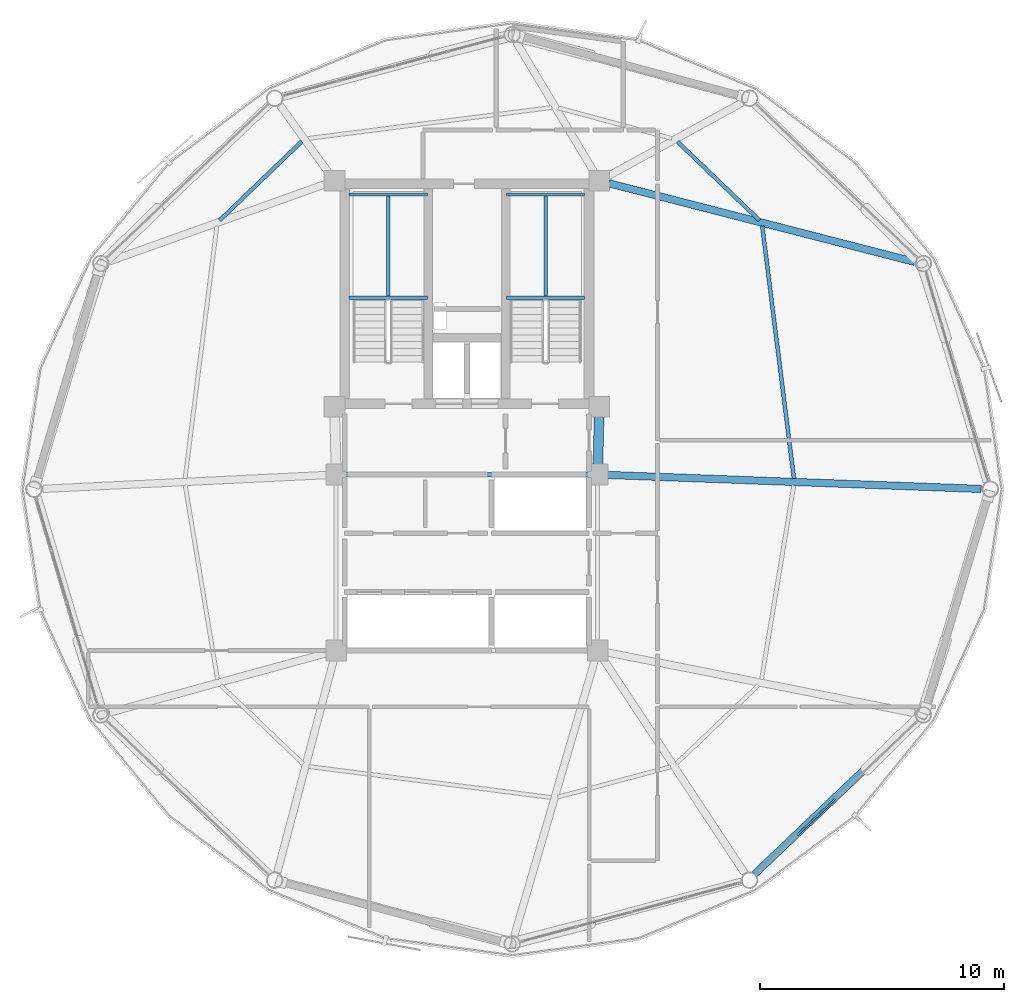
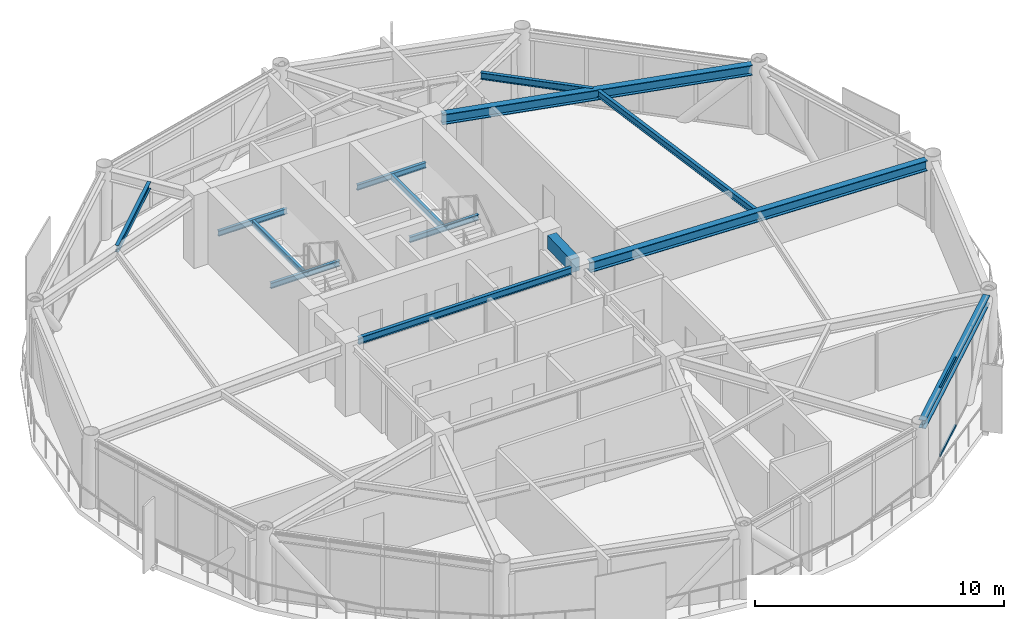
# One storey, part 15 of 29: 14 beams, 2 members, 1 element without a shape of its own.
"""IFC4 building model written with IfcOpenShell, lengths in metres."""

from ifc_helpers import new_model, si_unit, direction, frame, origin, origin_2d, place, context, subcontext, project, spatial, rectangle, hollow_rectangle, i_section, extrude, material, layer, layer_set, material_profile, profile_set, type_object, element, aggregate, save


model = new_model("IFC4")

# Units and contexts
model_context = context("Model", 3, precision=1e-05, world=origin(), true_north=direction((0.0, 1.0)))
body_context = subcontext(model_context, "Body", "Model", "MODEL_VIEW")
ifc_project = project(units=[si_unit("LENGTHUNIT", "METRE"), si_unit("AREAUNIT", "SQUARE_METRE"), si_unit("VOLUMEUNIT", "CUBIC_METRE"), si_unit("PLANEANGLEUNIT", "RADIAN"), si_unit("MASSUNIT", "GRAM", prefix="KILO")], contexts=[model_context])

# Site, building, storey
site_placement = place(None, origin())
site = spatial("IfcSite", under=ifc_project, at=site_placement, CompositionType="ELEMENT")
building_placement = place(site_placement, origin())
building = spatial("IfcBuilding", under=site, at=building_placement, Name="Varnakorn Sky Granary", CompositionType="ELEMENT")
storey_placement = place(building_placement, frame((0.0, 0.0, 189.60009765625)))
storey = spatial("IfcBuildingStorey", under=building, at=storey_placement, Name="L47", CompositionType="ELEMENT", Elevation=189.60009765625)

# Beams
ifc_material_1 = material(Name="Concrete C50/60", Category="concrete")
ifc_material_profile_1 = material_profile(ifc_material_1, rectangle(XDim=0.39990234375, YDim=0.64990234375, at=origin_2d()), Name="RC 400x650")
ifc_profile_set_1 = profile_set([ifc_material_profile_1], Name="Concrete C50/60")
beam_type_1 = type_object("IfcBeamType", Name="BM-LIN-650", PredefinedType="LINTEL", material=ifc_profile_set_1)
beam_1_placement = place(storey_placement, frame((8.409912109375, 2.97509765625, 3.034912109375), z_axis=(-0.025270737467, -0.99968064392, 0.0), x_axis=(0.99968064392, -0.025270737467, 0.0)))
element("IfcBeam", 1, at=beam_1_placement, inside=storey, type_object=beam_type_1, Name="Core Spine Framing Beam 2 L47", PredefinedType="LINTEL", context=body_context, shape_type="SweptSolid", body=[
    extrude(rectangle(XDim=0.39990234375, YDim=0.64990234375, at=origin_2d()), origin(), (0.0, 0.0, 1.0), 1.970947265625),
])
ifc_material_2 = material(Name="Steel S355JR", Category="steel")
ifc_material_profile_2 = material_profile(ifc_material_2, i_section(OverallWidth=0.135009765625, OverallDepth=0.27001953125, WebThickness=0.006591796875, FlangeThickness=0.01025390625, at=origin_2d()), Name="IPE 270")
ifc_profile_set_2 = profile_set([ifc_material_profile_2], Name="Steel S355JR")
beam_type_2 = type_object("IfcBeamType", Name="BM-LND-270", PredefinedType="BEAM", material=ifc_profile_set_2)
for number, where, z_axis, x_axis, name in (
    (2, (-1.820068359375, 7.840087890625, 1.46484375), (1.0, 0.0, 0.0), (0.0, 1.0, 0.0), "Stair ST-1 Landing Trimmer Beam A L47-1"),
    (3, (-1.820068359375, 12.06005859375, 1.46484375), (1.0, 0.0, 0.0), (0.0, 1.0, 0.0), "Stair ST-1 Landing Trimmer Beam B L47-1"),
):
    element("IfcBeam", number, at=place(storey_placement, frame(where, z_axis=z_axis, x_axis=x_axis)), inside=storey, type_object=beam_type_2, Name=name, PredefinedType="BEAM", context=body_context, shape_type="SweptSolid", body=[
        extrude(i_section(OverallWidth=0.135009765625, OverallDepth=0.27001953125, WebThickness=0.006591796875, FlangeThickness=0.01025390625, at=origin_2d()), origin(), (0.0, 0.0, 1.0), 3.199951171875),
    ])
beam_2_placement = place(storey_placement, frame((-0.219970703125, 7.840087890625, 1.46484375), z_axis=(0.0, 1.0, 0.0), x_axis=(-1.0, 0.0, 0.0)))
element("IfcBeam", 4, at=beam_2_placement, inside=storey, type_object=beam_type_2, Name="Stair ST-1 Landing Cross Beam C L47-1", PredefinedType="BEAM", context=body_context, shape_type="SweptSolid", body=[
    extrude(i_section(OverallWidth=0.135009765625, OverallDepth=0.27001953125, WebThickness=0.006591796875, FlangeThickness=0.01025390625, at=origin_2d()), origin(), (0.0, 0.0, 1.0), 4.219970703125),
])
for number, where, z_axis, x_axis, name in (
    (5, (4.6201171875, 7.840087890625, 1.46484375), (1.0, 0.0, 0.0), (0.0, 1.0, 0.0), "Stair ST-2 Landing Trimmer Beam A L47-1"),
    (6, (4.6201171875, 12.06005859375, 1.46484375), (1.0, 0.0, 0.0), (0.0, 1.0, 0.0), "Stair ST-2 Landing Trimmer Beam B L47-1"),
):
    element("IfcBeam", number, at=place(storey_placement, frame(where, z_axis=z_axis, x_axis=x_axis)), inside=storey, type_object=beam_type_2, Name=name, PredefinedType="BEAM", context=body_context, shape_type="SweptSolid", body=[
        extrude(i_section(OverallWidth=0.135009765625, OverallDepth=0.27001953125, WebThickness=0.006591796875, FlangeThickness=0.01025390625, at=origin_2d()), origin(), (0.0, 0.0, 1.0), 3.199951171875),
    ])
beam_3_placement = place(storey_placement, frame((6.219970703125, 7.840087890625, 1.46484375), z_axis=(0.0, 1.0, 0.0), x_axis=(-1.0, 0.0, 0.0)))
element("IfcBeam", 7, at=beam_3_placement, inside=storey, type_object=beam_type_2, Name="Stair ST-2 Landing Cross Beam C L47-1", PredefinedType="BEAM", context=body_context, shape_type="SweptSolid", body=[
    extrude(i_section(OverallWidth=0.135009765625, OverallDepth=0.27001953125, WebThickness=0.006591796875, FlangeThickness=0.01025390625, at=origin_2d()), origin(), (0.0, 0.0, 1.0), 4.219970703125),
])
ifc_material_profile_3 = material_profile(ifc_material_2, i_section(OverallWidth=0.300048828125, OverallDepth=0.5, WebThickness=0.014404296875, FlangeThickness=0.028076171875, at=origin_2d()), Name="HE 500 B")
ifc_profile_set_3 = profile_set([ifc_material_profile_3], Name="Steel S355JR")
beam_type_3 = type_object("IfcBeamType", Name="BM-RAD-Z4", PredefinedType="BEAM", material=ifc_profile_set_3)
beam_4_placement = place(storey_placement, frame((8.754638671875, 0.584716796875, 3.10986328125), z_axis=(0.999298675794, -0.037445380977, 0.0), x_axis=(0.037445380977, 0.999298675794, 0.0)))
element("IfcBeam", 8, at=beam_4_placement, inside=storey, type_object=beam_type_3, Name="Radial Floor Girder RG01 L47", PredefinedType="BEAM", context=body_context, shape_type="SweptSolid", body=[
    extrude(i_section(OverallWidth=0.300048828125, OverallDepth=0.5, WebThickness=0.014404296875, FlangeThickness=0.028076171875, at=origin_2d()), origin(), (0.0, 0.0, 1.0), 15.30224609375),
])
beam_5_placement = place(storey_placement, frame((8.812255859375, 12.51904296875, 3.10986328125), z_axis=(0.968493323262, -0.249039520551, 0.0), x_axis=(0.249039520551, 0.968493323262, 0.0)))
element("IfcBeam", 9, at=beam_5_placement, inside=storey, type_object=beam_type_3, Name="Radial Floor Girder RG02 L47", PredefinedType="BEAM", context=body_context, shape_type="SweptSolid", body=[
    extrude(i_section(OverallWidth=0.300048828125, OverallDepth=0.5, WebThickness=0.014404296875, FlangeThickness=0.028076171875, at=origin_2d()), origin(), (0.0, 0.0, 1.0), 12.919677734375),
])
ifc_material_profile_4 = material_profile(ifc_material_2, i_section(OverallWidth=0.159912109375, OverallDepth=0.330078125, WebThickness=0.007568359375, FlangeThickness=0.011474609375, at=origin_2d()), Name="IPE 330")
ifc_profile_set_4 = profile_set([ifc_material_profile_4], Name="Steel S355JR")
beam_type_4 = type_object("IfcBeamType", Name="BM-SEC-Z4", PredefinedType="BEAM", material=ifc_profile_set_4)
beam_6_placement = place(storey_placement, frame((16.383056640625, 0.437255859375, 3.19482421875), z_axis=(-0.124539591714, 0.992214639126, 0.0), x_axis=(-0.992214639126, -0.124539591714, 0.0)))
element("IfcBeam", 10, at=beam_6_placement, inside=storey, type_object=beam_type_4, Name="Secondary Floor Chord Beam MSB01 L47", PredefinedType="BEAM", context=body_context, shape_type="SweptSolid", body=[
    extrude(i_section(OverallWidth=0.159912109375, OverallDepth=0.330078125, WebThickness=0.007568359375, FlangeThickness=0.011474609375, at=origin_2d()), origin(), (0.0, 0.0, 1.0), 10.415283203125),
])
beam_7_placement = place(storey_placement, frame((14.967529296875, 11.00732421875, 3.19482421875), z_axis=(-0.721346326501, 0.692574528295, 0.0), x_axis=(-0.692574528295, -0.721346326501, 0.0)))
element("IfcBeam", 11, at=beam_7_placement, inside=storey, type_object=beam_type_4, Name="Secondary Floor Chord Beam MSB02 L47", PredefinedType="BEAM", context=body_context, shape_type="SweptSolid", body=[
    extrude(i_section(OverallWidth=0.159912109375, OverallDepth=0.330078125, WebThickness=0.007568359375, FlangeThickness=0.011474609375, at=origin_2d()), origin(), (0.0, 0.0, 1.0), 4.6416015625),
])
beam_8_placement = place(storey_placement, frame((-3.756103515625, 14.23681640625, 3.19482421875), z_axis=(-0.720612719338, -0.693337802754, 0.0), x_axis=(0.693337802754, -0.720612719338, 0.0)))
element("IfcBeam", 12, at=beam_8_placement, inside=storey, type_object=beam_type_4, Name="Secondary Floor Chord Beam MSB05 L47", PredefinedType="BEAM", context=body_context, shape_type="SweptSolid", body=[
    extrude(i_section(OverallWidth=0.159912109375, OverallDepth=0.330078125, WebThickness=0.007568359375, FlangeThickness=0.011474609375, at=origin_2d()), origin(), (0.0, 0.0, 1.0), 4.66357421875),
])
beam_9_placement = place(storey_placement, frame((-1.945068359375, 0.60009765625, 3.19482421875), z_axis=(1.0, 0.0, 0.0), x_axis=(0.0, 1.0, 0.0)))
element("IfcBeam", 13, at=beam_9_placement, inside=storey, type_object=beam_type_4, Name="Core Spine Framing Beam 5 L47", PredefinedType="BEAM", context=body_context, shape_type="SweptSolid", body=[
    extrude(i_section(OverallWidth=0.159912109375, OverallDepth=0.330078125, WebThickness=0.007568359375, FlangeThickness=0.011474609375, at=origin_2d()), origin(), (0.0, 0.0, 1.0), 9.89013671875),
])
ifc_material_profile_5 = material_profile(ifc_material_2, i_section(OverallWidth=0.300048828125, OverallDepth=0.39990234375, WebThickness=0.013427734375, FlangeThickness=0.02392578125, at=origin_2d()), Name="HE 400 B")
ifc_profile_set_5 = profile_set([ifc_material_profile_5], Name="Steel S355JR")
beam_type_5 = type_object("IfcBeamType", Name="BM-SPD-Z4", PredefinedType="SPANDREL", material=ifc_profile_set_5)
beam_10_placement = place(storey_placement, frame((14.76611328125, -15.757568359375, 3.159912109375), z_axis=(0.724279861644, 0.689506114561, 0.0), x_axis=(-0.689506114561, 0.724279861644, 0.0)))
element("IfcBeam", 14, at=beam_10_placement, inside=storey, type_object=beam_type_5, Name="Perimeter Spandrel Ring Beam RB11 L47", PredefinedType="SPANDREL", context=body_context, shape_type="SweptSolid", body=[
    extrude(i_section(OverallWidth=0.300048828125, OverallDepth=0.39990234375, WebThickness=0.013427734375, FlangeThickness=0.02392578125, at=origin_2d()), origin(), (0.0, 0.0, 1.0), 9.162109375),
])

# Curtain wall, members
ifc_material_3 = material(Name="Anodised Bronze Aluminium Alloy 6063-T6", Category="aluminium")
ifc_layer = layer(ifc_material_3, 0.169921875, Name="Anodised Bronze Aluminium Alloy 6063-T6")
ifc_layer_set = layer_set([ifc_layer], Name="Anodised Bronze Aluminium Alloy 6063-T6")
curtain_wall_type = type_object("IfcCurtainWallType", Name="CW-LAB-1", PredefinedType="USERDEFINED", material=ifc_layer_set)
curtain_wall_placement = place(storey_placement, origin())
curtain_wall = element("IfcCurtainWall", 15, at=curtain_wall_placement, inside=storey, type_object=curtain_wall_type, Name="Unitised Curtain Wall CW5 CW-L47-B11", ObjectType="CURTAIN WALL", PredefinedType="USERDEFINED")
ifc_material_profile_6 = material_profile(ifc_material_3, hollow_rectangle(XDim=0.070068359375, YDim=0.139892578125, WallThickness=0.00341796875, at=origin_2d()), Name="ALU TRAN 70x140")
ifc_profile_set_6 = profile_set([ifc_material_profile_6], Name="Anodised Bronze Aluminium Alloy 6063-T6")
member_type = type_object("IfcMemberType", Name="CW-LAB-1-TRAN", PredefinedType="USERDEFINED", material=ifc_profile_set_6)
member_1_placement = place(storey_placement, frame((18.10693359375, -12.64453125, 0.034912109375), z_axis=(-0.724899433292, -0.68885471009, 0.0), x_axis=(0.68885471009, -0.724899433292, 0.0)))
member_1 = element("IfcMember", 16, at=member_1_placement, type_object=member_type, Name="CW5 transom 3.1", ObjectType="TRANSOM", PredefinedType="USERDEFINED", context=body_context, shape_type="SweptSolid", body=[
    extrude(hollow_rectangle(XDim=0.070068359375, YDim=0.139892578125, WallThickness=0.00341796875, at=origin_2d()), origin(), (0.0, 0.0, 1.0), 2.194580078125),
])
member_2_placement = place(storey_placement, frame((18.10693359375, -12.64453125, 3.324951171875), z_axis=(-0.724899433292, -0.68885471009, 0.0), x_axis=(0.68885471009, -0.724899433292, 0.0)))
member_2 = element("IfcMember", 17, at=member_2_placement, type_object=member_type, Name="CW5 transom 3.2", ObjectType="TRANSOM", PredefinedType="USERDEFINED", context=body_context, shape_type="SweptSolid", body=[
    extrude(hollow_rectangle(XDim=0.070068359375, YDim=0.139892578125, WallThickness=0.00341796875, at=origin_2d()), origin(), (0.0, 0.0, 1.0), 2.194580078125),
])
aggregate(curtain_wall, [member_1, member_2])

save(model, "model.ifc")
